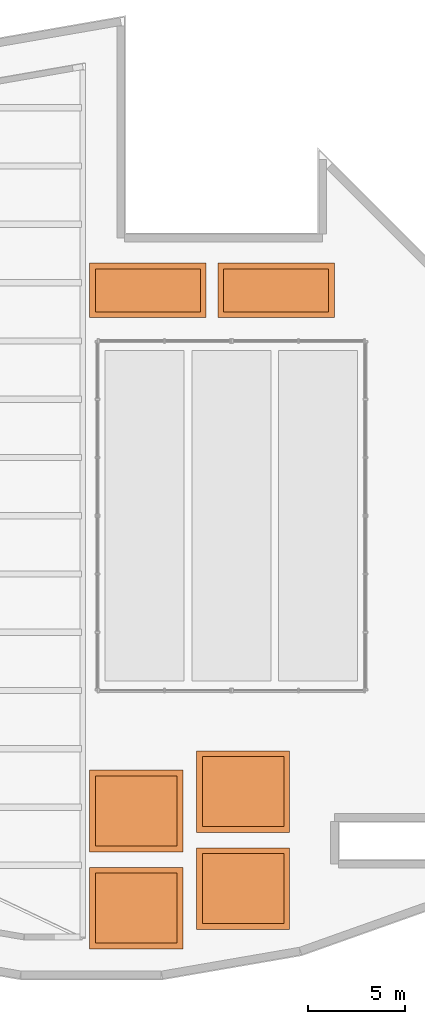
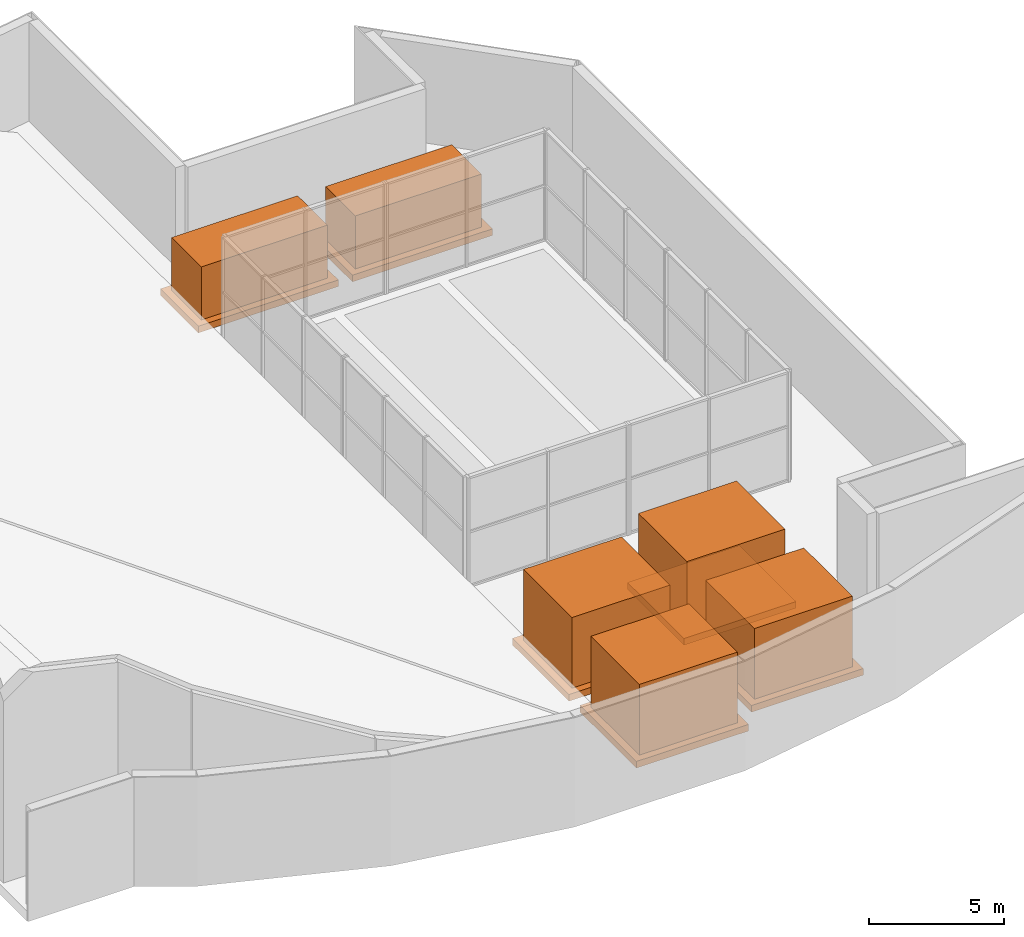
# One storey, part 6 of 6: 12 proxies.
"""IFC4 building model written with IfcOpenShell, lengths in metres."""

from ifc_helpers import new_model, si_unit, direction, frame, origin, origin_2d, place, context, subcontext, project, spatial, rectangle, extrude, material, type_object, element, save


model = new_model("IFC4")

# Units and contexts
model_context = context("Model", 3, precision=1e-05, world=origin(), true_north=direction((0.0, 1.0)))
body_context = subcontext(model_context, "Body", "Model", "MODEL_VIEW")
ifc_project = project(units=[si_unit("LENGTHUNIT", "METRE"), si_unit("AREAUNIT", "SQUARE_METRE"), si_unit("VOLUMEUNIT", "CUBIC_METRE"), si_unit("PLANEANGLEUNIT", "RADIAN"), si_unit("MASSUNIT", "GRAM", prefix="KILO")], contexts=[model_context])

# Site, building, storey
site_placement = place(None, origin())
site = spatial("IfcSite", under=ifc_project, at=site_placement, CompositionType="ELEMENT")
building_placement = place(site_placement, origin())
building = spatial("IfcBuilding", under=site, at=building_placement, Name="Cypress Arch Tower", CompositionType="ELEMENT")
storey_placement = place(building_placement, frame((0.0, 0.0, 359.0)))
storey = spatial("IfcBuildingStorey", under=building, at=storey_placement, Name="ROOF", CompositionType="ELEMENT", Elevation=359.0)

# Proxies
ifc_material_1 = material(Name="Steel ASTM A572 Grade 50, galvanised", Category="steel")
building_element_proxy_type_1 = type_object("IfcBuildingElementProxyType", Name="Air handling unit AHU5400", PredefinedType="USERDEFINED", material=ifc_material_1)
for number, where, z_axis, x_axis, name in (
    (1, (-2.800048828125, 11.60009765625, 0.300048828125), (0.0, 0.0, 1.0), (1.0, 0.0, 0.0), "Roof plant air handling unit 5"),
    (2, (3.800048828125, 11.60009765625, 0.300048828125), (0.0, 0.0, 1.0), (1.0, 0.0, 0.0), "Roof plant air handling unit 6"),
):
    element("IfcBuildingElementProxy", number, at=place(storey_placement, frame(where, z_axis=z_axis, x_axis=x_axis)), inside=storey, type_object=building_element_proxy_type_1, Name=name, ObjectType="AIR HANDLING UNIT", PredefinedType="USERDEFINED", context=body_context, shape_type="SweptSolid", body=[
        extrude(rectangle(XDim=5.39990234375, YDim=2.199951171875, at=origin_2d()), origin(), (0.0, 0.0, 1.0), 2.39990234375),
    ])
ifc_material_2 = material(Name="Steel ASTM A572 Grade 50, galvanised", Category="steel")
building_element_proxy_type_2 = type_object("IfcBuildingElementProxyType", Name="Cooling tower CT4200", PredefinedType="USERDEFINED", material=ifc_material_2)
for number, where, z_axis, x_axis, name in (
    (3, (-3.39990234375, -20.199951171875, 0.2998046875), (0.0, 0.0, 1.0), (1.0, 0.0, 0.0), "Roof plant cooling tower 1"),
    (4, (2.10009765625, -19.199951171875, 0.2998046875), (0.0, 0.0, 1.0), (1.0, 0.0, 0.0), "Roof plant cooling tower 2"),
    (5, (-3.39990234375, -15.199951171875, 0.2998046875), (0.0, 0.0, 1.0), (1.0, 0.0, 0.0), "Roof plant cooling tower 3"),
    (6, (2.10009765625, -14.199951171875, 0.2998046875), (0.0, 0.0, 1.0), (1.0, 0.0, 0.0), "Roof plant cooling tower 4"),
):
    element("IfcBuildingElementProxy", number, at=place(storey_placement, frame(where, z_axis=z_axis, x_axis=x_axis)), inside=storey, type_object=building_element_proxy_type_2, Name=name, ObjectType="COOLING TOWER", PredefinedType="USERDEFINED", context=body_context, shape_type="SweptSolid", body=[
        extrude(rectangle(XDim=4.199951171875, YDim=3.60009765625, at=origin_2d()), origin(), (0.0, 0.0, 1.0), 3.199951171875),
    ])
ifc_material_3 = material(Name="Concrete C40/50", Category="concrete")
building_element_proxy_type_3 = type_object("IfcBuildingElementProxyType", Name="Plant plinth PP300", PredefinedType="USERDEFINED", material=ifc_material_3)
for number, where, z_axis, x_axis, name in (
    (7, (-3.39990234375, -20.199951171875, 0.0), (0.0, 0.0, 1.0), (1.0, 0.0, 0.0), "Roof plant plinth 1"),
    (8, (2.10009765625, -19.199951171875, 0.0), (0.0, 0.0, 1.0), (1.0, 0.0, 0.0), "Roof plant plinth 2"),
    (9, (-3.39990234375, -15.199951171875, 0.0), (0.0, 0.0, 1.0), (1.0, 0.0, 0.0), "Roof plant plinth 3"),
    (10, (2.10009765625, -14.199951171875, 0.0), (0.0, 0.0, 1.0), (1.0, 0.0, 0.0), "Roof plant plinth 4"),
):
    element("IfcBuildingElementProxy", number, at=place(storey_placement, frame(where, z_axis=z_axis, x_axis=x_axis)), inside=storey, type_object=building_element_proxy_type_3, Name=name, ObjectType="PLANT PLINTH", PredefinedType="USERDEFINED", context=body_context, shape_type="SweptSolid", body=[
        extrude(rectangle(XDim=4.800048828125, YDim=4.199951171875, at=origin_2d()), origin(), (0.0, 0.0, 1.0), 0.300048828125),
    ])
for number, where, z_axis, x_axis, name in (
    (11, (-2.800048828125, 11.60009765625, 0.0), (0.0, 0.0, 1.0), (1.0, 0.0, 0.0), "Roof plant plinth 5"),
    (12, (3.800048828125, 11.60009765625, 0.0), (0.0, 0.0, 1.0), (1.0, 0.0, 0.0), "Roof plant plinth 6"),
):
    element("IfcBuildingElementProxy", number, at=place(storey_placement, frame(where, z_axis=z_axis, x_axis=x_axis)), inside=storey, type_object=building_element_proxy_type_3, Name=name, ObjectType="PLANT PLINTH", PredefinedType="USERDEFINED", context=body_context, shape_type="SweptSolid", body=[
        extrude(rectangle(XDim=6.0, YDim=2.800048828125, at=origin_2d()), origin(), (0.0, 0.0, 1.0), 0.300048828125),
    ])

save(model, "model.ifc")
